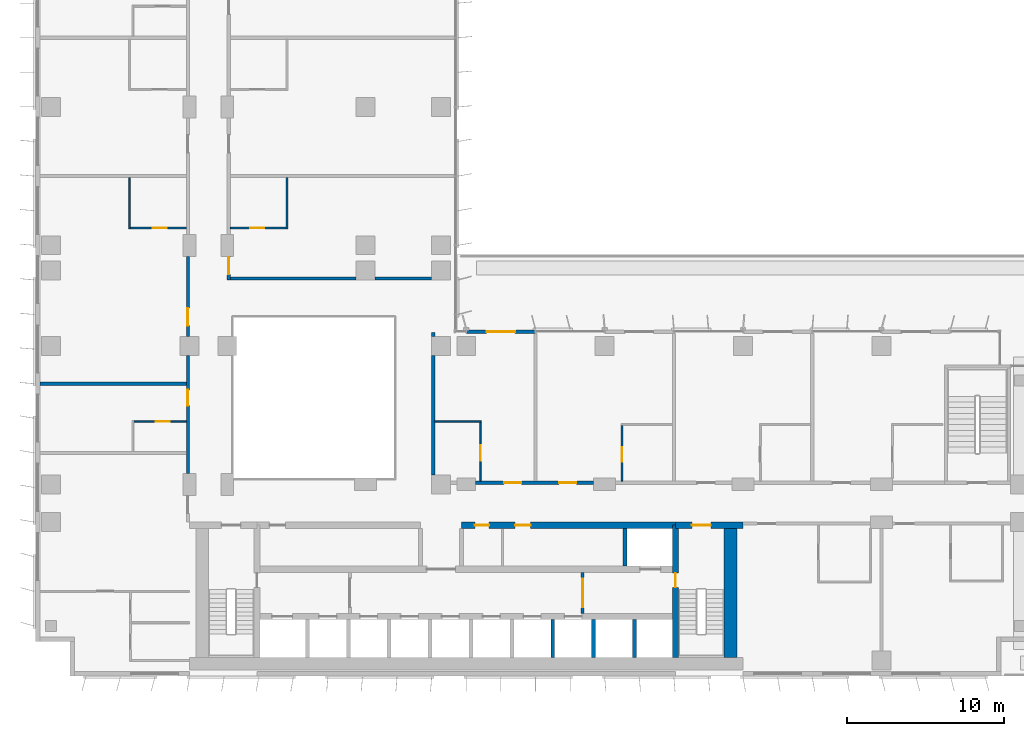
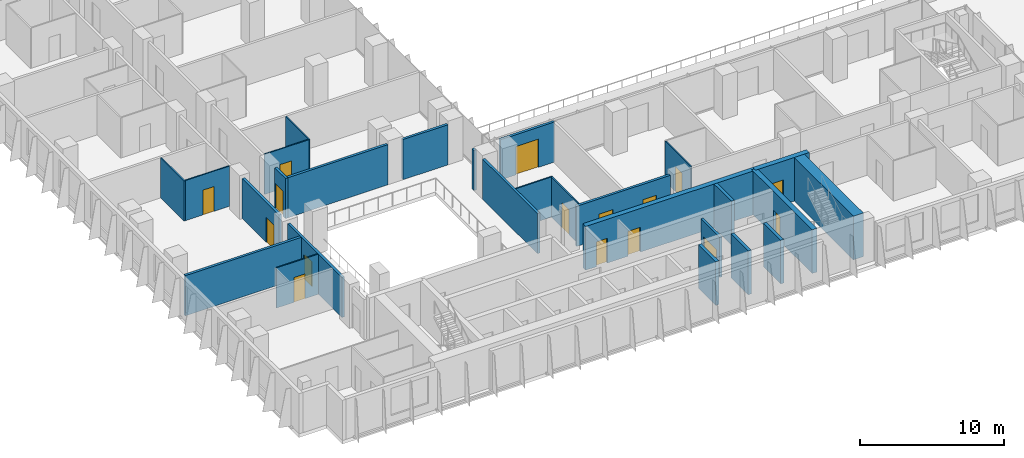
# One storey, part 15 of 27: 27 walls, 16 doors, 16 openings.
"""IFC4 building model written with IfcOpenShell, lengths in metres."""

from ifc_helpers import new_model, si_unit, direction, frame, frame_2d, origin, place, context, subcontext, project, spatial, rectangle, extrude, material, layer, layer_set, type_object, element, fill, save


model = new_model("IFC4")

# Units and contexts
model_context = context("Model", 3, precision=1e-05, world=origin(), true_north=direction((0.0, 1.0)))
body_context = subcontext(model_context, "Body", "Model", "MODEL_VIEW")
ifc_project = project(units=[si_unit("LENGTHUNIT", "METRE"), si_unit("AREAUNIT", "SQUARE_METRE"), si_unit("VOLUMEUNIT", "CUBIC_METRE"), si_unit("PLANEANGLEUNIT", "RADIAN"), si_unit("MASSUNIT", "GRAM", prefix="KILO")], contexts=[model_context])

# Site, building, storey
site_placement = place(None, origin())
site = spatial("IfcSite", under=ifc_project, at=site_placement, CompositionType="ELEMENT")
building_placement = place(site_placement, origin())
building = spatial("IfcBuilding", under=site, at=building_placement, Name="Kemantara Hotel Tower", CompositionType="ELEMENT")
storey_placement = place(building_placement, frame((0.0, 0.0, 83.39990234375)))
storey = spatial("IfcBuildingStorey", under=building, at=storey_placement, Name="L19", CompositionType="ELEMENT", Elevation=83.39990234375)

# Walls
ifc_material_1 = material(Name="Concrete fc 70 MPa", Category="concrete")
ifc_layer_1 = layer(ifc_material_1, 0.25)
ifc_layer_set_1 = layer_set([ifc_layer_1], Name="Concrete fc 70 MPa")
wall_type_1 = type_object("IfcWallType", Name="CORE WALL 250 FC70", PredefinedType="SHEAR", material=ifc_layer_set_1)
for number, where, z_axis, x_axis, name in (
    (1, (32.89990234375, 1.199951171875, 0.0), (0.0, 0.0, 1.0), (0.0, 1.0, 0.0), "CORE WALL CW-DS32.9"),
    (2, (35.5, 1.199951171875, 0.0), (0.0, 0.0, 1.0), (0.0, 1.0, 0.0), "CORE WALL CW-DS35.5"),
    (3, (38.10009765625, 1.199951171875, 0.0), (0.0, 0.0, 1.0), (0.0, 1.0, 0.0), "CORE WALL CW-DS38.1"),
):
    element("IfcWall", number, at=place(storey_placement, frame(where, z_axis=z_axis, x_axis=x_axis)), inside=storey, type_object=wall_type_1, Name=name, PredefinedType="SHEAR", context=body_context, shape_type="SweptSolid", body=[
        extrude(rectangle(XDim=2.400146484375, YDim=0.25, at=frame_2d((1.2001953125, 0.0))), origin(), (0.0, 0.0, 1.0), 3.7001953125),
    ])
wall_1_placement = place(storey_placement, frame((37.5, 7.0, 0.0), z_axis=(0.0, 0.0, 1.0), x_axis=(0.0, 1.0, 0.0)))
element("IfcWall", 4, at=wall_1_placement, inside=storey, type_object=wall_type_1, Name="CORE WALL CW-DN37.5", PredefinedType="SHEAR", context=body_context, shape_type="SweptSolid", body=[
    extrude(rectangle(XDim=2.39990234375, YDim=0.25, at=frame_2d((1.199951171875, 0.0))), origin(), (0.0, 0.0, 1.0), 3.7001953125),
])

# Wall, opening, door
ifc_layer_2 = layer(ifc_material_1, 0.39990234375)
ifc_layer_set_2 = layer_set([ifc_layer_2], Name="Concrete fc 70 MPa")
wall_type_2 = type_object("IfcWallType", Name="CORE WALL 400 FC70", PredefinedType="SHEAR", material=ifc_layer_set_2)
wall_2_placement = place(storey_placement, frame((40.699951171875, 9.60009765625, 0.0), z_axis=(0.0, 0.0, 1.0), x_axis=(1.0, 0.0, 0.0)))
wall_2 = element("IfcWall", 5, at=wall_2_placement, inside=storey, type_object=wall_type_2, Name="CORE WALL CW-N2", PredefinedType="SHEAR", context=body_context, shape_type="SweptSolid", body=[
    extrude(rectangle(XDim=4.300048828125, YDim=0.39990234375, at=frame_2d((2.14990234375, 0.0))), origin(), (0.0, 0.0, 1.0), 3.7001953125),
])
opening_1_placement = place(wall_2_placement, frame((1.050048828125, 0.0, 0.0)))
opening_1 = element("IfcOpeningElement", 6, at=opening_1_placement, cuts=wall_2, Name="Opening C14-ST2-C", PredefinedType="OPENING", context=body_context, shape_type="SweptSolid", body=[
    extrude(rectangle(XDim=1.199951171875, YDim=2.10009765625, at=frame_2d((0.60009765625, 1.050048828125))), frame((0.0, 0.2099609375, 0.0), z_axis=(0.0, -1.0, 0.0), x_axis=(1.0, 0.0, 0.0)), (0.0, 0.0, 1.0), 0.419921875),
])
ifc_material_2 = material(Name="Steel fire door", Category="steel")
door_type_1 = type_object("IfcDoorType", Name="Fire door FD90 1200 x 2100", OperationType="NOTDEFINED", PredefinedType="DOOR", material=ifc_material_2)
door_1_placement = place(opening_1_placement, frame((1.199951171875, 0.0, 0.0), z_axis=(0.0, 0.0, 1.0), x_axis=(-1.0, 0.0, 0.0)))
door_1 = element("IfcDoor", 7, at=door_1_placement, inside=storey, type_object=door_type_1, Name="Stair ST2 door to corridor", OperationType="SINGLE_SWING_RIGHT", OverallHeight=2.10009765625, OverallWidth=1.199951171875, PredefinedType="DOOR", context=body_context, shape_type="SweptSolid", body=[
    extrude(rectangle(XDim=1.199951171875, YDim=2.10009765625, at=frame_2d((0.60009765625, 1.050048828125))), frame((0.0, 0.02490234375, 0.0), z_axis=(0.0, -1.0, 0.0), x_axis=(1.0, 0.0, 0.0)), (0.0, 0.0, 1.0), 0.050048828125),
])
fill(opening_1, door_1)

# Wall, openings, doors
wall_3_placement = place(storey_placement, frame((27.10009765625, 9.60009765625, 0.0), z_axis=(0.0, 0.0, 1.0), x_axis=(1.0, 0.0, 0.0)))
wall_3 = element("IfcWall", 8, at=wall_3_placement, inside=storey, type_object=wall_type_2, Name="CORE WALL CW-NN2", PredefinedType="SHEAR", context=body_context, shape_type="SweptSolid", body=[
    extrude(rectangle(XDim=13.599853515625, YDim=0.39990234375, at=frame_2d((6.7998046875, 0.0))), origin(), (0.0, 0.0, 1.0), 3.7001953125),
])
opening_2_placement = place(wall_3_placement, frame((0.85009765625, 0.0, 0.0)))
opening_2 = element("IfcOpeningElement", 9, at=opening_2_placement, cuts=wall_3, Name="Opening C14-R-NE1", PredefinedType="OPENING", context=body_context, shape_type="SweptSolid", body=[
    extrude(rectangle(XDim=0.89990234375, YDim=2.10009765625, at=frame_2d((0.449951171875, 1.050048828125))), frame((0.0, 0.2099609375, 0.0), z_axis=(0.0, -1.0, 0.0), x_axis=(1.0, 0.0, 0.0)), (0.0, 0.0, 1.0), 0.419921875),
])
opening_3_placement = place(wall_3_placement, frame((3.39990234375, 0.0, 0.0)))
opening_3 = element("IfcOpeningElement", 10, at=opening_3_placement, cuts=wall_3, Name="Opening C14-R-NE2", PredefinedType="OPENING", context=body_context, shape_type="SweptSolid", body=[
    extrude(rectangle(XDim=1.0, YDim=2.10009765625, at=frame_2d((0.5, 1.050048828125))), frame((0.0, 0.2099609375, 0.0), z_axis=(0.0, -1.0, 0.0), x_axis=(1.0, 0.0, 0.0)), (0.0, 0.0, 1.0), 0.419921875),
])
door_type_2 = type_object("IfcDoorType", Name="Fire door FD30S 1000 x 2100", OperationType="NOTDEFINED", PredefinedType="DOOR", material=ifc_material_2)
door_2_placement = place(opening_3_placement, frame((1.0, 0.0, 0.0), z_axis=(0.0, 0.0, 1.0), x_axis=(-1.0, 0.0, 0.0)))
door_2 = element("IfcDoor", 11, at=door_2_placement, inside=storey, type_object=door_type_2, Name="Luggage Store door", OperationType="SINGLE_SWING_RIGHT", OverallHeight=2.10009765625, OverallWidth=1.0, PredefinedType="DOOR", context=body_context, shape_type="SweptSolid", body=[
    extrude(rectangle(XDim=1.0, YDim=2.10009765625, at=frame_2d((0.5, 1.050048828125))), frame((0.0, 0.02490234375, 0.0), z_axis=(0.0, -1.0, 0.0), x_axis=(1.0, 0.0, 0.0)), (0.0, 0.0, 1.0), 0.050048828125),
])
fill(opening_3, door_2)
door_type_3 = type_object("IfcDoorType", Name="Fire door FD60 900 x 2100", OperationType="NOTDEFINED", PredefinedType="DOOR", material=ifc_material_2)
door_3_placement = place(opening_2_placement, frame((0.89990234375, 0.0, 0.0), z_axis=(0.0, 0.0, 1.0), x_axis=(-1.0, 0.0, 0.0)))
door_3 = element("IfcDoor", 12, at=door_3_placement, inside=storey, type_object=door_type_3, Name="Plumbing Riser Room door", OperationType="SINGLE_SWING_RIGHT", OverallHeight=2.10009765625, OverallWidth=0.89990234375, PredefinedType="DOOR", context=body_context, shape_type="SweptSolid", body=[
    extrude(rectangle(XDim=0.89990234375, YDim=2.10009765625, at=frame_2d((0.449951171875, 1.050048828125))), frame((0.0, 0.02490234375, 0.0), z_axis=(0.0, -1.0, 0.0), x_axis=(1.0, 0.0, 0.0)), (0.0, 0.0, 1.0), 0.050048828125),
])
fill(opening_2, door_3)

# Wall, opening, door
wall_4_placement = place(storey_placement, frame((40.699951171875, 1.199951171875, 0.0), z_axis=(0.0, 0.0, 1.0), x_axis=(0.0, 1.0, 0.0)))
wall_4 = element("IfcWall", 13, at=wall_4_placement, inside=storey, type_object=wall_type_2, Name="CORE WALL CW-ST2W", PredefinedType="SHEAR", context=body_context, shape_type="SweptSolid", body=[
    extrude(rectangle(XDim=8.400146484375, YDim=0.39990234375, at=frame_2d((4.2001953125, 0.0))), origin(), (0.0, 0.0, 1.0), 3.7001953125),
])
opening_4_placement = place(wall_4_placement, frame((4.449951171875, 0.0, 0.0)))
opening_4 = element("IfcOpeningElement", 14, at=opening_4_placement, cuts=wall_4, Name="Opening C14-ST2-F", PredefinedType="OPENING", context=body_context, shape_type="SweptSolid", body=[
    extrude(rectangle(XDim=0.89990234375, YDim=2.10009765625, at=frame_2d((0.449951171875, 1.050048828125))), frame((0.0, 0.2099609375, 0.0), z_axis=(0.0, -1.0, 0.0), x_axis=(1.0, 0.0, 0.0)), (0.0, 0.0, 1.0), 0.419921875),
])
door_type_4 = type_object("IfcDoorType", Name="Fire door FD90 900 x 2100", OperationType="NOTDEFINED", PredefinedType="DOOR", material=ifc_material_2)
door_4_placement = place(opening_4_placement, frame((0.89990234375, 0.0, 0.0), z_axis=(0.0, 0.0, 1.0), x_axis=(-1.0, 0.0, 0.0)))
door_4 = element("IfcDoor", 15, at=door_4_placement, inside=storey, type_object=door_type_4, Name="Stair ST2 door to firefighting lobby", OperationType="SINGLE_SWING_LEFT", OverallHeight=2.10009765625, OverallWidth=0.89990234375, PredefinedType="DOOR", context=body_context, shape_type="SweptSolid", body=[
    extrude(rectangle(XDim=0.89990234375, YDim=2.10009765625, at=frame_2d((0.449951171875, 1.050048828125))), frame((0.0, 0.02490234375, 0.0), z_axis=(0.0, -1.0, 0.0), x_axis=(1.0, 0.0, 0.0)), (0.0, 0.0, 1.0), 0.050048828125),
])
fill(opening_4, door_4)

# Wall
ifc_layer_3 = layer(ifc_material_1, 0.800048828125)
ifc_layer_set_3 = layer_set([ifc_layer_3], Name="Concrete fc 70 MPa")
wall_type_3 = type_object("IfcWallType", Name="CORE WALL 800 FC70", PredefinedType="SHEAR", material=ifc_layer_set_3)
wall_5_placement = place(storey_placement, frame((44.199951171875, 1.199951171875, 0.0), z_axis=(0.0, 0.0, 1.0), x_axis=(0.0, 1.0, 0.0)))
element("IfcWall", 16, at=wall_5_placement, inside=storey, type_object=wall_type_3, Name="CORE WALL CW-E", PredefinedType="SHEAR", context=body_context, shape_type="SweptSolid", body=[
    extrude(rectangle(XDim=8.60009765625, YDim=0.800048828125, at=frame_2d((4.300048828125, 0.0))), origin(), (0.0, 0.0, 1.0), 3.7001953125),
])

# Wall, openings, doors
ifc_material_3 = material(Name="Gypsum board partition, steel studs and mineral wool, 200 mm", Category="steel")
ifc_layer_4 = layer(ifc_material_3, 0.199951171875)
ifc_layer_set_4 = layer_set([ifc_layer_4], Name="Gypsum board partition, steel studs and mineral wool, 200 mm")
wall_type_4 = type_object("IfcWallType", Name="CORRIDOR WALL 200", PredefinedType="PARTITIONING", material=ifc_layer_set_4)
wall_6_placement = place(storey_placement, frame((28.0, 12.300048828125, 0.0), z_axis=(0.0, 0.0, 1.0), x_axis=(1.0, 0.0, 0.0)))
wall_6 = element("IfcWall", 17, at=wall_6_placement, inside=storey, type_object=wall_type_4, Name="CORRIDOR WALL 200 005", PredefinedType="PARTITIONING", context=body_context, shape_type="SweptSolid", body=[
    extrude(rectangle(XDim=7.5, YDim=0.199951171875, at=frame_2d((3.75, 0.0))), origin(), (0.0, 0.0, 1.0), 3.400146484375),
])
opening_5_placement = place(wall_6_placement, frame((1.7998046875, 0.0, 0.0)))
opening_5 = element("IfcOpeningElement", 18, at=opening_5_placement, cuts=wall_6, Name="Opening F07-005", PredefinedType="OPENING", context=body_context, shape_type="SweptSolid", body=[
    extrude(rectangle(XDim=1.10009765625, YDim=2.10009765625, at=frame_2d((0.550048828125, 1.050048828125))), frame((0.0, 0.10986328125, 0.0), z_axis=(0.0, -1.0, 0.0), x_axis=(1.0, 0.0, 0.0)), (0.0, 0.0, 1.0), 0.219970703125),
])
opening_6_placement = place(wall_6_placement, frame((5.2998046875, 0.0, 0.0)))
opening_6 = element("IfcOpeningElement", 19, at=opening_6_placement, cuts=wall_6, Name="Opening F07-007", PredefinedType="OPENING", context=body_context, shape_type="SweptSolid", body=[
    extrude(rectangle(XDim=1.10009765625, YDim=2.10009765625, at=frame_2d((0.550048828125, 1.050048828125))), frame((0.0, 0.10986328125, 0.0), z_axis=(0.0, -1.0, 0.0), x_axis=(1.0, 0.0, 0.0)), (0.0, 0.0, 1.0), 0.219970703125),
])
ifc_material_4 = material(Name="Hardwood veneer door leaf with steel frame", Category="steel")
door_type_5 = type_object("IfcDoorType", Name="GUEST ROOM DOOR 1100 X 2100 FD30S", OperationType="NOTDEFINED", PredefinedType="DOOR", material=ifc_material_4)
door_5_placement = place(opening_5_placement, origin())
door_5 = element("IfcDoor", 20, at=door_5_placement, inside=storey, type_object=door_type_5, Name="GUEST ROOM DOOR F07-005", OperationType="SINGLE_SWING_RIGHT", OverallHeight=2.10009765625, OverallWidth=1.10009765625, PredefinedType="DOOR", context=body_context, shape_type="SweptSolid", body=[
    extrude(rectangle(XDim=1.10009765625, YDim=2.10009765625, at=frame_2d((0.550048828125, 1.050048828125))), frame((0.0, 0.02490234375, 0.0), z_axis=(0.0, -1.0, 0.0), x_axis=(1.0, 0.0, 0.0)), (0.0, 0.0, 1.0), 0.050048828125),
])
fill(opening_5, door_5)
door_type_6 = type_object("IfcDoorType", Name="SUITE ENTRANCE DOOR 1100 X 2100 FD30S", OperationType="NOTDEFINED", PredefinedType="DOOR", material=ifc_material_4)
door_6_placement = place(opening_6_placement, origin())
door_6 = element("IfcDoor", 21, at=door_6_placement, inside=storey, type_object=door_type_6, Name="SUITE ENTRANCE DOOR F07-007", OperationType="SINGLE_SWING_LEFT", OverallHeight=2.10009765625, OverallWidth=1.10009765625, PredefinedType="DOOR", context=body_context, shape_type="SweptSolid", body=[
    extrude(rectangle(XDim=1.10009765625, YDim=2.10009765625, at=frame_2d((0.550048828125, 1.050048828125))), frame((0.0, 0.02490234375, 0.0), z_axis=(0.0, -1.0, 0.0), x_axis=(1.0, 0.0, 0.0)), (0.0, 0.0, 1.0), 0.050048828125),
])
fill(opening_6, door_6)

# Wall, opening, door
wall_7_placement = place(storey_placement, frame((9.699951171875, 12.900146484375, 0.0), z_axis=(0.0, 0.0, 1.0), x_axis=(0.0, 1.0, 0.0)))
wall_7 = element("IfcWall", 22, at=wall_7_placement, inside=storey, type_object=wall_type_4, Name="CORRIDOR WALL 200 015", PredefinedType="PARTITIONING", context=body_context, shape_type="SweptSolid", body=[
    extrude(rectangle(XDim=7.499755859375, YDim=0.199951171875, at=frame_2d((3.75, 0.0))), origin(), (0.0, 0.0, 1.0), 3.400146484375),
])
opening_7_placement = place(wall_7_placement, frame((4.2998046875, 0.0, 0.0)))
opening_7 = element("IfcOpeningElement", 23, at=opening_7_placement, cuts=wall_7, Name="Opening F07-017", PredefinedType="OPENING", context=body_context, shape_type="SweptSolid", body=[
    extrude(rectangle(XDim=1.0, YDim=2.10009765625, at=frame_2d((0.5, 1.050048828125))), frame((0.0, 0.10986328125, 0.0), z_axis=(0.0, -1.0, 0.0), x_axis=(1.0, 0.0, 0.0)), (0.0, 0.0, 1.0), 0.219970703125),
])
door_type_7 = type_object("IfcDoorType", Name="GUEST ROOM DOOR 1000 X 2100 FD30S", OperationType="NOTDEFINED", PredefinedType="DOOR", material=ifc_material_4)
door_7_placement = place(opening_7_placement, origin())
door_7 = element("IfcDoor", 24, at=door_7_placement, inside=storey, type_object=door_type_7, Name="GUEST ROOM DOOR F07-017", OperationType="SINGLE_SWING_RIGHT", OverallHeight=2.10009765625, OverallWidth=1.0, PredefinedType="DOOR", context=body_context, shape_type="SweptSolid", body=[
    extrude(rectangle(XDim=1.0, YDim=2.10009765625, at=frame_2d((0.5, 1.050048828125))), frame((0.0, 0.02490234375, 0.0), z_axis=(0.0, -1.0, 0.0), x_axis=(1.0, 0.0, 0.0)), (0.0, 0.0, 1.0), 0.050048828125),
])
fill(opening_7, door_7)

wall_8_placement = place(storey_placement, frame((9.699951171875, 21.60009765625, 0.0), z_axis=(0.0, 0.0, 1.0), x_axis=(0.0, 1.0, 0.0)))
wall_8 = element("IfcWall", 25, at=wall_8_placement, inside=storey, type_object=wall_type_4, Name="CORRIDOR WALL 200 016", PredefinedType="PARTITIONING", context=body_context, shape_type="SweptSolid", body=[
    extrude(rectangle(XDim=5.099853515625, YDim=0.199951171875, at=frame_2d((2.5498046875, 0.0))), origin(), (0.0, 0.0, 1.0), 3.400146484375),
])
opening_8_placement = place(wall_8_placement, frame((0.699951171875, 0.0, 0.0)))
opening_8 = element("IfcOpeningElement", 26, at=opening_8_placement, cuts=wall_8, Name="Opening F07-019", PredefinedType="OPENING", context=body_context, shape_type="SweptSolid", body=[
    extrude(rectangle(XDim=1.10009765625, YDim=2.10009765625, at=frame_2d((0.550048828125, 1.050048828125))), frame((0.0, 0.10986328125, 0.0), z_axis=(0.0, -1.0, 0.0), x_axis=(1.0, 0.0, 0.0)), (0.0, 0.0, 1.0), 0.219970703125),
])
door_8_placement = place(opening_8_placement, origin())
door_8 = element("IfcDoor", 27, at=door_8_placement, inside=storey, type_object=door_type_6, Name="SUITE ENTRANCE DOOR F07-019", OperationType="SINGLE_SWING_LEFT", OverallHeight=2.10009765625, OverallWidth=1.10009765625, PredefinedType="DOOR", context=body_context, shape_type="SweptSolid", body=[
    extrude(rectangle(XDim=1.10009765625, YDim=2.10009765625, at=frame_2d((0.550048828125, 1.050048828125))), frame((0.0, 0.02490234375, 0.0), z_axis=(0.0, -1.0, 0.0), x_axis=(1.0, 0.0, 0.0)), (0.0, 0.0, 1.0), 0.050048828125),
])
fill(opening_8, door_8)

wall_9_placement = place(storey_placement, frame((12.300048828125, 26.699951171875, 0.0), z_axis=(0.0, 0.0, 1.0), x_axis=(0.0, -1.0, 0.0)))
wall_9 = element("IfcWall", 28, at=wall_9_placement, inside=storey, type_object=wall_type_4, Name="CORRIDOR WALL 200 031", PredefinedType="PARTITIONING", context=body_context, shape_type="SweptSolid", body=[
    extrude(rectangle(XDim=1.5, YDim=0.199951171875, at=frame_2d((0.75, 0.0))), origin(), (0.0, 0.0, 1.0), 3.400146484375),
])
opening_9_placement = place(wall_9_placement, frame((0.0498046875, 0.0, 0.0)))
opening_9 = element("IfcOpeningElement", 29, at=opening_9_placement, cuts=wall_9, Name="Opening F07-033", PredefinedType="OPENING", context=body_context, shape_type="SweptSolid", body=[
    extrude(rectangle(XDim=1.10009765625, YDim=2.10009765625, at=frame_2d((0.550048828125, 1.050048828125))), frame((0.0, 0.10986328125, 0.0), z_axis=(0.0, -1.0, 0.0), x_axis=(1.0, 0.0, 0.0)), (0.0, 0.0, 1.0), 0.219970703125),
])
door_9_placement = place(opening_9_placement, origin())
door_9 = element("IfcDoor", 30, at=door_9_placement, inside=storey, type_object=door_type_6, Name="SUITE ENTRANCE DOOR F07-033", OperationType="SINGLE_SWING_RIGHT", OverallHeight=2.10009765625, OverallWidth=1.10009765625, PredefinedType="DOOR", context=body_context, shape_type="SweptSolid", body=[
    extrude(rectangle(XDim=1.10009765625, YDim=2.10009765625, at=frame_2d((0.550048828125, 1.050048828125))), frame((0.0, 0.02490234375, 0.0), z_axis=(0.0, -1.0, 0.0), x_axis=(1.0, 0.0, 0.0)), (0.0, 0.0, 1.0), 0.050048828125),
])
fill(opening_9, door_9)

# Walls
ifc_layer_5 = layer(ifc_material_3, 0.199951171875)
ifc_layer_set_5 = layer_set([ifc_layer_5], Name="Gypsum board partition, steel studs and mineral wool, 200 mm")
wall_type_5 = type_object("IfcWallType", Name="GUEST ROOM PARTY WALL 200", PredefinedType="PARTITIONING", material=ifc_layer_set_5)
wall_10_placement = place(storey_placement, frame((25.300048828125, 12.800048828125, 0.0), z_axis=(0.0, 0.0, 1.0), x_axis=(0.0, 1.0, 0.0)))
element("IfcWall", 31, at=wall_10_placement, inside=storey, type_object=wall_type_5, Name="GUEST ROOM PARTY WALL 200 009", PredefinedType="PARTITIONING", context=body_context, shape_type="SweptSolid", body=[
    extrude(rectangle(XDim=7.599853515625, YDim=0.199951171875, at=frame_2d((3.7998046875, 0.0))), origin(), (0.0, 0.0, 1.0), 3.400146484375),
])
wall_11_placement = place(storey_placement, frame((25.300048828125, 21.60009765625, 0.0), z_axis=(0.0, 0.0, 1.0), x_axis=(0.0, 1.0, 0.0)))
element("IfcWall", 32, at=wall_11_placement, inside=storey, type_object=wall_type_5, Name="GUEST ROOM PARTY WALL 200 010", PredefinedType="PARTITIONING", context=body_context, shape_type="SweptSolid", body=[
    extrude(rectangle(XDim=0.27001953125, YDim=0.199951171875, at=frame_2d((0.135009765625, 0.0))), origin(), (0.0, 0.0, 1.0), 3.400146484375),
])
wall_12_placement = place(storey_placement, frame((0.31005859375, 18.60009765625, 0.0), z_axis=(0.0, 0.0, 1.0), x_axis=(1.0, 0.0, 0.0)))
element("IfcWall", 33, at=wall_12_placement, inside=storey, type_object=wall_type_5, Name="GUEST ROOM PARTY WALL 200 024", PredefinedType="PARTITIONING", context=body_context, shape_type="SweptSolid", body=[
    extrude(rectangle(XDim=9.2900390625, YDim=0.199951171875, at=frame_2d((4.64501953125, 0.0))), origin(), (0.0, 0.0, 1.0), 3.400146484375),
])
wall_13_placement = place(storey_placement, frame((12.39990234375, 25.300048828125, 0.0), z_axis=(0.0, 0.0, 1.0), x_axis=(1.0, 0.0, 0.0)))
element("IfcWall", 34, at=wall_13_placement, inside=storey, type_object=wall_type_5, Name="GUEST ROOM PARTY WALL 200 038", PredefinedType="PARTITIONING", context=body_context, shape_type="SweptSolid", body=[
    extrude(rectangle(XDim=8.0, YDim=0.199951171875, at=frame_2d((4.0, 0.0))), origin(), (0.0, 0.0, 1.0), 3.400146484375),
])
wall_14_placement = place(storey_placement, frame((21.60009765625, 25.300048828125, 0.0), z_axis=(0.0, 0.0, 1.0), x_axis=(1.0, 0.0, 0.0)))
element("IfcWall", 35, at=wall_14_placement, inside=storey, type_object=wall_type_5, Name="GUEST ROOM PARTY WALL 200 039", PredefinedType="PARTITIONING", context=body_context, shape_type="SweptSolid", body=[
    extrude(rectangle(XDim=3.599853515625, YDim=0.199951171875, at=frame_2d((1.7998046875, 0.0))), origin(), (0.0, 0.0, 1.0), 3.400146484375),
])

# Wall, opening, door
ifc_material_5 = material(Name="Gypsum board shaft wall")
ifc_layer_6 = layer(ifc_material_5, 0.199951171875)
ifc_layer_set_6 = layer_set([ifc_layer_6], Name="Gypsum board shaft wall")
wall_type_6 = type_object("IfcWallType", Name="Gypsum board shaft wall 200 mm", PredefinedType="PARTITIONING", material=ifc_layer_set_6)
wall_15_placement = place(storey_placement, frame((34.800048828125, 4.0, 0.0), z_axis=(0.0, 0.0, 1.0), x_axis=(0.0, 1.0, 0.0)))
wall_15 = element("IfcWall", 36, at=wall_15_placement, inside=storey, type_object=wall_type_6, Name="Firefighting lobby partition east", PredefinedType="PARTITIONING", context=body_context, shape_type="SweptSolid", body=[
    extrude(rectangle(XDim=2.60009765625, YDim=0.199951171875, at=frame_2d((1.300048828125, 0.0))), origin(), (0.0, 0.0, 1.0), 3.400146484375),
])
opening_10_placement = place(wall_15_placement, frame((0.39990234375, 0.0, 0.0)))
opening_10 = element("IfcOpeningElement", 37, at=opening_10_placement, cuts=wall_15, Name="Opening C14-FFE", PredefinedType="OPENING", context=body_context, shape_type="SweptSolid", body=[
    extrude(rectangle(XDim=1.800048828125, YDim=2.10009765625, at=frame_2d((0.89990234375, 1.050048828125))), frame((0.0, 0.10986328125, 0.0), z_axis=(0.0, -1.0, 0.0), x_axis=(1.0, 0.0, 0.0)), (0.0, 0.0, 1.0), 0.219970703125),
])
door_type_8 = type_object("IfcDoorType", Name="Fire door pair FD60 1800 x 2100", OperationType="DOUBLE_DOOR_SINGLE_SWING", PredefinedType="DOOR", material=ifc_material_2)
door_10_placement = place(opening_10_placement, frame((1.800048828125, 0.0, 0.0), z_axis=(0.0, 0.0, 1.0), x_axis=(-1.0, 0.0, 0.0)))
door_10 = element("IfcDoor", 38, at=door_10_placement, inside=storey, type_object=door_type_8, Name="Firefighting lobby door east", OperationType="DOUBLE_DOOR_SINGLE_SWING", OverallHeight=2.10009765625, OverallWidth=1.800048828125, PredefinedType="DOOR", context=body_context, shape_type="SweptSolid", body=[
    extrude(rectangle(XDim=1.800048828125, YDim=2.10009765625, at=frame_2d((0.89990234375, 1.050048828125))), frame((0.0, 0.02490234375, 0.0), z_axis=(0.0, -1.0, 0.0), x_axis=(1.0, 0.0, 0.0)), (0.0, 0.0, 1.0), 0.050048828125),
])
fill(opening_10, door_10)

ifc_material_6 = material(Name="Gypsum board partition on steel studs, 100 mm", Category="steel")
ifc_layer_7 = layer(ifc_material_6, 0.10009765625)
ifc_layer_set_7 = layer_set([ifc_layer_7], Name="Gypsum board partition on steel studs, 100 mm")
wall_type_7 = type_object("IfcWallType", Name="ROOM PARTITION 100", PredefinedType="PARTITIONING", material=ifc_layer_set_7)
wall_16_placement = place(storey_placement, frame((9.60009765625, 16.199951171875, 0.0), z_axis=(0.0, 0.0, 1.0), x_axis=(-1.0, 0.0, 0.0)))
wall_16 = element("IfcWall", 39, at=wall_16_placement, inside=storey, type_object=wall_type_7, Name="ROOM PARTITION 100 051", PredefinedType="PARTITIONING", context=body_context, shape_type="SweptSolid", body=[
    extrude(rectangle(XDim=3.35009765625, YDim=0.10009765625, at=frame_2d((1.675048828125, 0.0))), origin(), (0.0, 0.0, 1.0), 3.400146484375),
])
opening_11_placement = place(wall_16_placement, frame((1.050048828125, 0.0, 0.0)))
opening_11 = element("IfcOpeningElement", 40, at=opening_11_placement, cuts=wall_16, Name="Opening F07-018", PredefinedType="OPENING", context=body_context, shape_type="SweptSolid", body=[
    extrude(rectangle(XDim=0.89990234375, YDim=2.10009765625, at=frame_2d((0.449951171875, 1.050048828125))), frame((0.0, 0.06005859375, 0.0), z_axis=(0.0, -1.0, 0.0), x_axis=(1.0, 0.0, 0.0)), (0.0, 0.0, 1.0), 0.1201171875),
])
door_type_9 = type_object("IfcDoorType", Name="BATHROOM DOOR 900 X 2100", OperationType="NOTDEFINED", PredefinedType="DOOR", material=ifc_material_4)
door_11_placement = place(opening_11_placement, origin())
door_11 = element("IfcDoor", 41, at=door_11_placement, inside=storey, type_object=door_type_9, Name="BATHROOM DOOR F07-018", OperationType="SINGLE_SWING_LEFT", OverallHeight=2.10009765625, OverallWidth=0.89990234375, PredefinedType="DOOR", context=body_context, shape_type="SweptSolid", body=[
    extrude(rectangle(XDim=0.89990234375, YDim=2.10009765625, at=frame_2d((0.449951171875, 1.050048828125))), frame((0.0, 0.02490234375, 0.0), z_axis=(0.0, -1.0, 0.0), x_axis=(1.0, 0.0, 0.0)), (0.0, 0.0, 1.0), 0.050048828125),
])
fill(opening_11, door_11)

# Wall
wall_17_placement = place(storey_placement, frame((25.39990234375, 16.199951171875, 0.0), z_axis=(0.0, 0.0, 1.0), x_axis=(1.0, 0.0, 0.0)))
element("IfcWall", 42, at=wall_17_placement, inside=storey, type_object=wall_type_7, Name="ROOM PARTITION 100 052", PredefinedType="PARTITIONING", context=body_context, shape_type="SweptSolid", body=[
    extrude(rectangle(XDim=2.9501953125, YDim=0.10009765625, at=frame_2d((1.47509765625, 0.0))), origin(), (0.0, 0.0, 1.0), 3.400146484375),
])

# Wall, opening, door
wall_18_placement = place(storey_placement, frame((28.300048828125, 12.39990234375, 0.0), z_axis=(0.0, 0.0, 1.0), x_axis=(0.0, 1.0, 0.0)))
wall_18 = element("IfcWall", 43, at=wall_18_placement, inside=storey, type_object=wall_type_7, Name="ROOM PARTITION 100 053", PredefinedType="PARTITIONING", context=body_context, shape_type="SweptSolid", body=[
    extrude(rectangle(XDim=3.75, YDim=0.10009765625, at=frame_2d((1.875, 0.0))), origin(), (0.0, 0.0, 1.0), 3.400146484375),
])
opening_12_placement = place(wall_18_placement, frame((1.300048828125, 0.0, 0.0)))
opening_12 = element("IfcOpeningElement", 44, at=opening_12_placement, cuts=wall_18, Name="Opening F07-006", PredefinedType="OPENING", context=body_context, shape_type="SweptSolid", body=[
    extrude(rectangle(XDim=1.0, YDim=2.10009765625, at=frame_2d((0.5, 1.050048828125))), frame((0.0, 0.06005859375, 0.0), z_axis=(0.0, -1.0, 0.0), x_axis=(1.0, 0.0, 0.0)), (0.0, 0.0, 1.0), 0.1201171875),
])
door_type_10 = type_object("IfcDoorType", Name="BATHROOM DOOR 1000 X 2100", OperationType="NOTDEFINED", PredefinedType="DOOR", material=ifc_material_4)
door_12_placement = place(opening_12_placement, origin())
door_12 = element("IfcDoor", 45, at=door_12_placement, inside=storey, type_object=door_type_10, Name="BATHROOM DOOR F07-006", OperationType="SINGLE_SWING_LEFT", OverallHeight=2.10009765625, OverallWidth=1.0, PredefinedType="DOOR", context=body_context, shape_type="SweptSolid", body=[
    extrude(rectangle(XDim=1.0, YDim=2.10009765625, at=frame_2d((0.5, 1.050048828125))), frame((0.0, 0.02490234375, 0.0), z_axis=(0.0, -1.0, 0.0), x_axis=(1.0, 0.0, 0.0)), (0.0, 0.0, 1.0), 0.050048828125),
])
fill(opening_12, door_12)

wall_19_placement = place(storey_placement, frame((37.300048828125, 15.949951171875, 0.0), z_axis=(0.0, 0.0, 1.0), x_axis=(0.0, -1.0, 0.0)))
wall_19 = element("IfcWall", 46, at=wall_19_placement, inside=storey, type_object=wall_type_7, Name="ROOM PARTITION 100 057", PredefinedType="PARTITIONING", context=body_context, shape_type="SweptSolid", body=[
    extrude(rectangle(XDim=3.550048828125, YDim=0.10009765625, at=frame_2d((1.77490234375, 0.0))), origin(), (0.0, 0.0, 1.0), 3.400146484375),
])
opening_13_placement = place(wall_19_placement, frame((1.39990234375, 0.0, 0.0)))
opening_13 = element("IfcOpeningElement", 47, at=opening_13_placement, cuts=wall_19, Name="Opening F07-008", PredefinedType="OPENING", context=body_context, shape_type="SweptSolid", body=[
    extrude(rectangle(XDim=0.89990234375, YDim=2.10009765625, at=frame_2d((0.449951171875, 1.050048828125))), frame((0.0, 0.06005859375, 0.0), z_axis=(0.0, -1.0, 0.0), x_axis=(1.0, 0.0, 0.0)), (0.0, 0.0, 1.0), 0.1201171875),
])
door_13_placement = place(opening_13_placement, origin())
door_13 = element("IfcDoor", 48, at=door_13_placement, inside=storey, type_object=door_type_9, Name="BATHROOM DOOR F07-008", OperationType="SINGLE_SWING_RIGHT", OverallHeight=2.10009765625, OverallWidth=0.89990234375, PredefinedType="DOOR", context=body_context, shape_type="SweptSolid", body=[
    extrude(rectangle(XDim=0.89990234375, YDim=2.10009765625, at=frame_2d((0.449951171875, 1.050048828125))), frame((0.0, 0.02490234375, 0.0), z_axis=(0.0, -1.0, 0.0), x_axis=(1.0, 0.0, 0.0)), (0.0, 0.0, 1.0), 0.050048828125),
])
fill(opening_13, door_13)

# Wall
wall_20_placement = place(storey_placement, frame((6.0, 28.449951171875, 0.0), z_axis=(0.0, 0.0, 1.0), x_axis=(0.0, 1.0, 0.0)))
element("IfcWall", 49, at=wall_20_placement, inside=storey, type_object=wall_type_7, Name="ROOM PARTITION 100 068", PredefinedType="PARTITIONING", context=body_context, shape_type="SweptSolid", body=[
    extrude(rectangle(XDim=3.25, YDim=0.10009765625, at=frame_2d((1.625, 0.0))), origin(), (0.0, 0.0, 1.0), 3.400146484375),
])

# Wall, opening, door
wall_21_placement = place(storey_placement, frame((6.050048828125, 28.5, 0.0), z_axis=(0.0, 0.0, 1.0), x_axis=(1.0, 0.0, 0.0)))
wall_21 = element("IfcWall", 50, at=wall_21_placement, inside=storey, type_object=wall_type_7, Name="ROOM PARTITION 100 072", PredefinedType="PARTITIONING", context=body_context, shape_type="SweptSolid", body=[
    extrude(rectangle(XDim=3.550048828125, YDim=0.10009765625, at=frame_2d((1.77490234375, 0.0))), origin(), (0.0, 0.0, 1.0), 3.400146484375),
])
opening_14_placement = place(wall_21_placement, frame((1.39990234375, 0.0, 0.0)))
opening_14 = element("IfcOpeningElement", 51, at=opening_14_placement, cuts=wall_21, Name="Opening F07-020", PredefinedType="OPENING", context=body_context, shape_type="SweptSolid", body=[
    extrude(rectangle(XDim=0.89990234375, YDim=2.10009765625, at=frame_2d((0.449951171875, 1.050048828125))), frame((0.0, 0.06005859375, 0.0), z_axis=(0.0, -1.0, 0.0), x_axis=(1.0, 0.0, 0.0)), (0.0, 0.0, 1.0), 0.1201171875),
])
door_14_placement = place(opening_14_placement, origin())
door_14 = element("IfcDoor", 52, at=door_14_placement, inside=storey, type_object=door_type_9, Name="BATHROOM DOOR F07-020", OperationType="SINGLE_SWING_RIGHT", OverallHeight=2.10009765625, OverallWidth=0.89990234375, PredefinedType="DOOR", context=body_context, shape_type="SweptSolid", body=[
    extrude(rectangle(XDim=0.89990234375, YDim=2.10009765625, at=frame_2d((0.449951171875, 1.050048828125))), frame((0.0, 0.02490234375, 0.0), z_axis=(0.0, -1.0, 0.0), x_axis=(1.0, 0.0, 0.0)), (0.0, 0.0, 1.0), 0.050048828125),
])
fill(opening_14, door_14)

wall_22_placement = place(storey_placement, frame((12.39990234375, 28.5, 0.0), z_axis=(0.0, 0.0, 1.0), x_axis=(1.0, 0.0, 0.0)))
wall_22 = element("IfcWall", 53, at=wall_22_placement, inside=storey, type_object=wall_type_7, Name="ROOM PARTITION 100 073", PredefinedType="PARTITIONING", context=body_context, shape_type="SweptSolid", body=[
    extrude(rectangle(XDim=3.550048828125, YDim=0.10009765625, at=frame_2d((1.77490234375, 0.0))), origin(), (0.0, 0.0, 1.0), 3.400146484375),
])
opening_15_placement = place(wall_22_placement, frame((1.25, 0.0, 0.0)))
opening_15 = element("IfcOpeningElement", 54, at=opening_15_placement, cuts=wall_22, Name="Opening F07-034", PredefinedType="OPENING", context=body_context, shape_type="SweptSolid", body=[
    extrude(rectangle(XDim=0.89990234375, YDim=2.10009765625, at=frame_2d((0.449951171875, 1.050048828125))), frame((0.0, 0.06005859375, 0.0), z_axis=(0.0, -1.0, 0.0), x_axis=(1.0, 0.0, 0.0)), (0.0, 0.0, 1.0), 0.1201171875),
])
door_15_placement = place(opening_15_placement, origin())
door_15 = element("IfcDoor", 55, at=door_15_placement, inside=storey, type_object=door_type_9, Name="BATHROOM DOOR F07-034", OperationType="SINGLE_SWING_LEFT", OverallHeight=2.10009765625, OverallWidth=0.89990234375, PredefinedType="DOOR", context=body_context, shape_type="SweptSolid", body=[
    extrude(rectangle(XDim=0.89990234375, YDim=2.10009765625, at=frame_2d((0.449951171875, 1.050048828125))), frame((0.0, 0.02490234375, 0.0), z_axis=(0.0, -1.0, 0.0), x_axis=(1.0, 0.0, 0.0)), (0.0, 0.0, 1.0), 0.050048828125),
])
fill(opening_15, door_15)

# Wall
wall_23_placement = place(storey_placement, frame((16.0, 28.449951171875, 0.0), z_axis=(0.0, 0.0, 1.0), x_axis=(0.0, 1.0, 0.0)))
element("IfcWall", 56, at=wall_23_placement, inside=storey, type_object=wall_type_7, Name="ROOM PARTITION 100 083", PredefinedType="PARTITIONING", context=body_context, shape_type="SweptSolid", body=[
    extrude(rectangle(XDim=3.25, YDim=0.10009765625, at=frame_2d((1.625, 0.0))), origin(), (0.0, 0.0, 1.0), 3.400146484375),
])

# Wall, opening, door
ifc_material_7 = material(Name="Bronze ceramic cladding on insulated steel stud wall", Category="steel")
ifc_layer_8 = layer(ifc_material_7, 0.199951171875)
ifc_layer_set_8 = layer_set([ifc_layer_8], Name="Bronze ceramic cladding on insulated steel stud wall")
wall_type_8 = type_object("IfcWallType", Name="TERRACE DOOR BAY WALL 200", PredefinedType="STANDARD", material=ifc_layer_set_8)
wall_24_placement = place(storey_placement, frame((31.77001953125, 21.89990234375, 0.0), z_axis=(0.0, 0.0, 1.0), x_axis=(-1.0, 0.0, 0.0)))
wall_24 = element("IfcWall", 57, at=wall_24_placement, inside=storey, type_object=wall_type_8, Name="TERRACE DOOR BAY WALL L19 T2-R13-4", PredefinedType="STANDARD", context=body_context, shape_type="SweptSolid", body=[
    extrude(rectangle(XDim=4.340087890625, YDim=0.199951171875, at=frame_2d((2.169921875, 0.0))), origin(), (0.0, 0.0, 1.0), 3.400146484375),
])
opening_16_placement = place(wall_24_placement, frame((1.27001953125, 0.0, 0.0)))
opening_16 = element("IfcOpeningElement", 58, at=opening_16_placement, cuts=wall_24, Name="Opening TD-L19-04", PredefinedType="OPENING", context=body_context, shape_type="SweptSolid", body=[
    extrude(rectangle(XDim=1.800048828125, YDim=2.39990234375, at=frame_2d((0.89990234375, 1.199951171875))), frame((0.0, 0.10986328125, 0.0), z_axis=(0.0, -1.0, 0.0), x_axis=(1.0, 0.0, 0.0)), (0.0, 0.0, 1.0), 0.219970703125),
])
ifc_material_8 = material(Name="Toughened tinted glass in bronze anodised aluminium frame", Category="aluminium")
door_type_11 = type_object("IfcDoorType", Name="TERRACE DOOR, DOUBLE LEAF GLAZED 1800x2400", OperationType="DOUBLE_DOOR_SINGLE_SWING", PredefinedType="DOOR", material=ifc_material_8)
door_16_placement = place(opening_16_placement, origin())
door_16 = element("IfcDoor", 59, at=door_16_placement, inside=storey, type_object=door_type_11, Name="TERRACE DOOR L19 T2-R13-4", OperationType="SINGLE_SWING_LEFT", OverallHeight=2.39990234375, OverallWidth=1.800048828125, PredefinedType="DOOR", context=body_context, shape_type="SweptSolid", body=[
    extrude(rectangle(XDim=1.800048828125, YDim=2.39990234375, at=frame_2d((0.89990234375, 1.199951171875))), frame((0.0, 0.02490234375, 0.0), z_axis=(0.0, -1.0, 0.0), x_axis=(1.0, 0.0, 0.0)), (0.0, 0.0, 1.0), 0.050048828125),
])
fill(opening_16, door_16)

save(model, "model.ifc")
